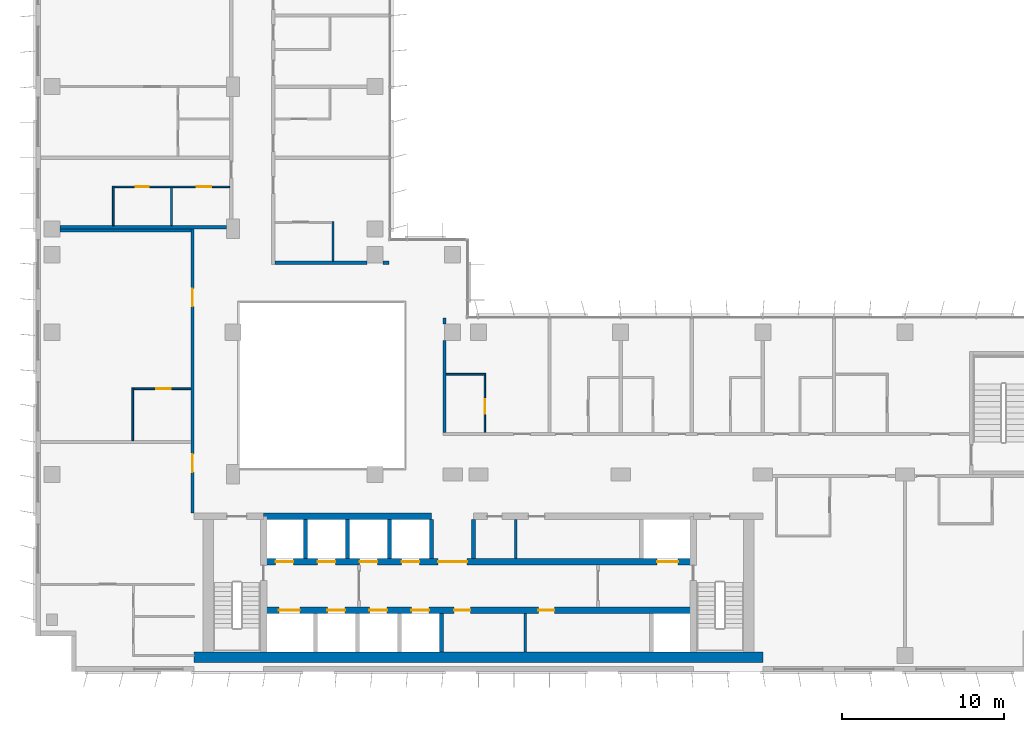
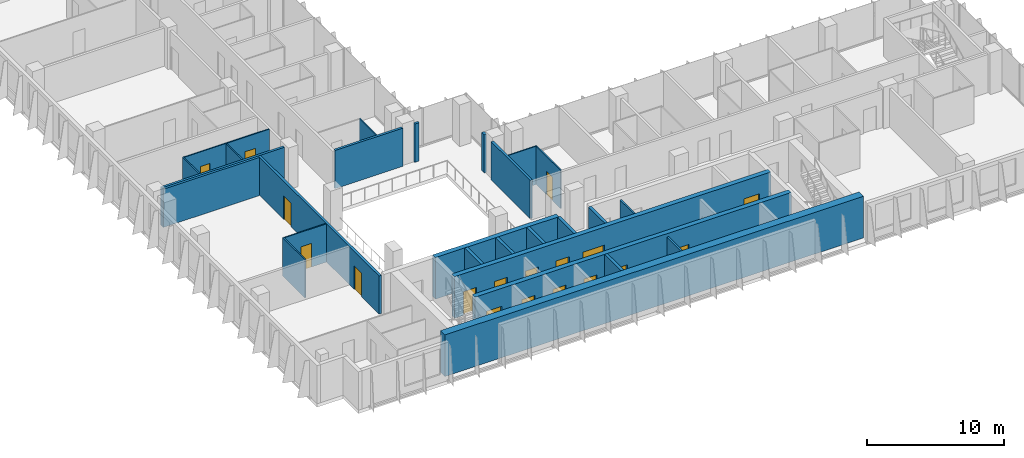
# One storey, part 13 of 21: 27 walls, 18 doors, 18 openings.
"""IFC4 building model written with IfcOpenShell, lengths in metres."""

from ifc_helpers import new_model, si_unit, direction, frame, frame_2d, origin, place, context, subcontext, project, spatial, rectangle, extrude, material, layer, layer_set, type_object, element, fill, save


model = new_model("IFC4")

# Units and contexts
model_context = context("Model", 3, precision=1e-05, world=origin(), true_north=direction((0.0, 1.0)))
body_context = subcontext(model_context, "Body", "Model", "MODEL_VIEW")
ifc_project = project(units=[si_unit("LENGTHUNIT", "METRE"), si_unit("AREAUNIT", "SQUARE_METRE"), si_unit("VOLUMEUNIT", "CUBIC_METRE"), si_unit("PLANEANGLEUNIT", "RADIAN"), si_unit("MASSUNIT", "GRAM", prefix="KILO")], contexts=[model_context])

# Site, building, storey
site_placement = place(None, origin())
site = spatial("IfcSite", under=ifc_project, at=site_placement, CompositionType="ELEMENT")
building_placement = place(site_placement, origin())
building = spatial("IfcBuilding", under=site, at=building_placement, Name="Kemantara Hotel Tower", CompositionType="ELEMENT")
storey_placement = place(building_placement, frame((0.0, 0.0, 171.60009765625)))
storey = spatial("IfcBuildingStorey", under=building, at=storey_placement, Name="L42", CompositionType="ELEMENT", Elevation=171.60009765625)

# Walls
ifc_material_1 = material(Name="Concrete fc 60 MPa", Category="concrete")
ifc_layer_1 = layer(ifc_material_1, 0.25)
ifc_layer_set_1 = layer_set([ifc_layer_1], Name="Concrete fc 60 MPa")
wall_type_1 = type_object("IfcWallType", Name="CORE WALL 250 FC60", PredefinedType="SHEAR", material=ifc_layer_set_1)
wall_1_placement = place(storey_placement, frame((25.10009765625, 1.199951171875, 0.0), z_axis=(0.0, 0.0, 1.0), x_axis=(0.0, 1.0, 0.0)))
element("IfcWall", 1, at=wall_1_placement, inside=storey, type_object=wall_type_1, Name="CORE WALL CW-DS25.1", PredefinedType="SHEAR", context=body_context, shape_type="SweptSolid", body=[
    extrude(rectangle(XDim=2.400146484375, YDim=0.25, at=frame_2d((1.2001953125, 0.0))), origin(), (0.0, 0.0, 1.0), 3.699951171875),
])
for number, where, z_axis, x_axis, name in (
    (2, (16.699951171875, 7.0, 0.0), (0.0, 0.0, 1.0), (0.0, 1.0, 0.0), "CORE WALL CW-DN16.7"),
    (3, (19.300048828125, 7.0, 0.0), (0.0, 0.0, 1.0), (0.0, 1.0, 0.0), "CORE WALL CW-DN19.3"),
    (4, (21.89990234375, 7.0, 0.0), (0.0, 0.0, 1.0), (0.0, 1.0, 0.0), "CORE WALL CW-DN21.9"),
    (5, (24.5, 7.0, 0.0), (0.0, 0.0, 1.0), (0.0, 1.0, 0.0), "CORE WALL CW-DN24.5"),
    (6, (27.10009765625, 7.0, 0.0), (0.0, 0.0, 1.0), (0.0, 1.0, 0.0), "CORE WALL CW-DN27.1"),
):
    element("IfcWall", number, at=place(storey_placement, frame(where, z_axis=z_axis, x_axis=x_axis)), inside=storey, type_object=wall_type_1, Name=name, PredefinedType="SHEAR", context=body_context, shape_type="SweptSolid", body=[
        extrude(rectangle(XDim=2.39990234375, YDim=0.25, at=frame_2d((1.199951171875, 0.0))), origin(), (0.0, 0.0, 1.0), 3.699951171875),
    ])
ifc_layer_2 = layer(ifc_material_1, 0.39990234375)
ifc_layer_set_2 = layer_set([ifc_layer_2], Name="Concrete fc 60 MPa")
wall_type_2 = type_object("IfcWallType", Name="CORE WALL 400 FC60", PredefinedType="SHEAR", material=ifc_layer_set_2)
wall_2_placement = place(storey_placement, frame((14.10009765625, 9.60009765625, 0.0), z_axis=(0.0, 0.0, 1.0), x_axis=(1.0, 0.0, 0.0)))
element("IfcWall", 7, at=wall_2_placement, inside=storey, type_object=wall_type_2, Name="CORE WALL CW-NN1", PredefinedType="SHEAR", context=body_context, shape_type="SweptSolid", body=[
    extrude(rectangle(XDim=10.39990234375, YDim=0.39990234375, at=frame_2d((5.199951171875, 0.0))), origin(), (0.0, 0.0, 1.0), 3.699951171875),
])

# Wall, openings, doors
wall_3_placement = place(storey_placement, frame((14.10009765625, 3.800048828125, 0.0), z_axis=(0.0, 0.0, 1.0), x_axis=(1.0, 0.0, 0.0)))
wall_3 = element("IfcWall", 8, at=wall_3_placement, inside=storey, type_object=wall_type_2, Name="CORE WALL CW-L1", PredefinedType="SHEAR", context=body_context, shape_type="SweptSolid", body=[
    extrude(rectangle(XDim=26.599853515625, YDim=0.39990234375, at=frame_2d((13.2998046875, 0.0))), origin(), (0.0, 0.0, 1.0), 3.699951171875),
])
opening_1_placement = place(wall_3_placement, frame((0.949951171875, 0.0, 0.0)))
opening_1 = element("IfcOpeningElement", 9, at=opening_1_placement, cuts=wall_3, Name="Opening C26-LD-FF1", PredefinedType="OPENING", context=body_context, shape_type="SweptSolid", body=[
    extrude(rectangle(XDim=1.300048828125, YDim=2.10009765625, at=frame_2d((0.64990234375, 1.050048828125))), frame((0.0, 0.2099609375, 0.0), z_axis=(0.0, -1.0, 0.0), x_axis=(1.0, 0.0, 0.0)), (0.0, 0.0, 1.0), 0.419921875),
])
opening_2_placement = place(wall_3_placement, frame((3.949951171875, 0.0, 0.0)))
opening_2 = element("IfcOpeningElement", 10, at=opening_2_placement, cuts=wall_3, Name="Opening C26-LD-SV1", PredefinedType="OPENING", context=body_context, shape_type="SweptSolid", body=[
    extrude(rectangle(XDim=1.10009765625, YDim=2.10009765625, at=frame_2d((0.550048828125, 1.050048828125))), frame((0.0, 0.2099609375, 0.0), z_axis=(0.0, -1.0, 0.0), x_axis=(1.0, 0.0, 0.0)), (0.0, 0.0, 1.0), 0.419921875),
])
opening_3_placement = place(wall_3_placement, frame((6.550048828125, 0.0, 0.0)))
opening_3 = element("IfcOpeningElement", 11, at=opening_3_placement, cuts=wall_3, Name="Opening C26-LD-SV2", PredefinedType="OPENING", context=body_context, shape_type="SweptSolid", body=[
    extrude(rectangle(XDim=1.10009765625, YDim=2.10009765625, at=frame_2d((0.550048828125, 1.050048828125))), frame((0.0, 0.2099609375, 0.0), z_axis=(0.0, -1.0, 0.0), x_axis=(1.0, 0.0, 0.0)), (0.0, 0.0, 1.0), 0.419921875),
])
opening_4_placement = place(wall_3_placement, frame((9.14990234375, 0.0, 0.0)))
opening_4 = element("IfcOpeningElement", 12, at=opening_4_placement, cuts=wall_3, Name="Opening C26-LD-SV3", PredefinedType="OPENING", context=body_context, shape_type="SweptSolid", body=[
    extrude(rectangle(XDim=1.10009765625, YDim=2.10009765625, at=frame_2d((0.550048828125, 1.050048828125))), frame((0.0, 0.2099609375, 0.0), z_axis=(0.0, -1.0, 0.0), x_axis=(1.0, 0.0, 0.0)), (0.0, 0.0, 1.0), 0.419921875),
])
opening_5_placement = place(wall_3_placement, frame((11.800048828125, 0.0, 0.0)))
opening_5 = element("IfcOpeningElement", 13, at=opening_5_placement, cuts=wall_3, Name="Opening C26-R-SM1", PredefinedType="OPENING", context=body_context, shape_type="SweptSolid", body=[
    extrude(rectangle(XDim=1.0, YDim=2.10009765625, at=frame_2d((0.5, 1.050048828125))), frame((0.0, 0.2099609375, 0.0), z_axis=(0.0, -1.0, 0.0), x_axis=(1.0, 0.0, 0.0)), (0.0, 0.0, 1.0), 0.419921875),
])
opening_6_placement = place(wall_3_placement, frame((17.0, 0.0, 0.0)))
opening_6 = element("IfcOpeningElement", 14, at=opening_6_placement, cuts=wall_3, Name="Opening C26-R-SM2", PredefinedType="OPENING", context=body_context, shape_type="SweptSolid", body=[
    extrude(rectangle(XDim=1.0, YDim=2.10009765625, at=frame_2d((0.5, 1.050048828125))), frame((0.0, 0.2099609375, 0.0), z_axis=(0.0, -1.0, 0.0), x_axis=(1.0, 0.0, 0.0)), (0.0, 0.0, 1.0), 0.419921875),
])
ifc_material_2 = material(Name="Steel fire door", Category="steel")
door_type_1 = type_object("IfcDoorType", Name="Fire door FD30S 1000 x 2100", OperationType="NOTDEFINED", PredefinedType="DOOR", material=ifc_material_2)
door_1_placement = place(opening_5_placement, frame((1.0, 0.0, 0.0), z_axis=(0.0, 0.0, 1.0), x_axis=(-1.0, 0.0, 0.0)))
door_1 = element("IfcDoor", 15, at=door_1_placement, inside=storey, type_object=door_type_1, Name="Staff Lounge door", OperationType="SINGLE_SWING_RIGHT", OverallHeight=2.10009765625, OverallWidth=1.0, PredefinedType="DOOR", context=body_context, shape_type="SweptSolid", body=[
    extrude(rectangle(XDim=1.0, YDim=2.10009765625, at=frame_2d((0.5, 1.050048828125))), frame((0.0, 0.02490234375, 0.0), z_axis=(0.0, -1.0, 0.0), x_axis=(1.0, 0.0, 0.0)), (0.0, 0.0, 1.0), 0.050048828125),
])
fill(opening_5, door_1)
door_2_placement = place(opening_6_placement, frame((1.0, 0.0, 0.0), z_axis=(0.0, 0.0, 1.0), x_axis=(-1.0, 0.0, 0.0)))
door_2 = element("IfcDoor", 16, at=door_2_placement, inside=storey, type_object=door_type_1, Name="Guest Pantry door", OperationType="SINGLE_SWING_LEFT", OverallHeight=2.10009765625, OverallWidth=1.0, PredefinedType="DOOR", context=body_context, shape_type="SweptSolid", body=[
    extrude(rectangle(XDim=1.0, YDim=2.10009765625, at=frame_2d((0.5, 1.050048828125))), frame((0.0, 0.02490234375, 0.0), z_axis=(0.0, -1.0, 0.0), x_axis=(1.0, 0.0, 0.0)), (0.0, 0.0, 1.0), 0.050048828125),
])
fill(opening_6, door_2)
ifc_material_3 = material(Name="Stainless steel lift door", Category="steel")
door_type_2 = type_object("IfcDoorType", Name="Lift landing door 1100 x 2100 FD60", OperationType="DOUBLE_DOOR_SLIDING", PredefinedType="DOOR", material=ifc_material_3)
door_3_placement = place(opening_2_placement, origin())
door_3 = element("IfcDoor", 17, at=door_3_placement, inside=storey, type_object=door_type_2, Name="Lift SV1 landing door", OperationType="DOUBLE_DOOR_SLIDING", OverallHeight=2.10009765625, OverallWidth=1.10009765625, PredefinedType="DOOR", context=body_context, shape_type="SweptSolid", body=[
    extrude(rectangle(XDim=1.10009765625, YDim=2.10009765625, at=frame_2d((0.550048828125, 1.050048828125))), frame((0.0, 0.02490234375, 0.0), z_axis=(0.0, -1.0, 0.0), x_axis=(1.0, 0.0, 0.0)), (0.0, 0.0, 1.0), 0.050048828125),
])
fill(opening_2, door_3)
door_4_placement = place(opening_3_placement, origin())
door_4 = element("IfcDoor", 18, at=door_4_placement, inside=storey, type_object=door_type_2, Name="Lift SV2 landing door", OperationType="DOUBLE_DOOR_SLIDING", OverallHeight=2.10009765625, OverallWidth=1.10009765625, PredefinedType="DOOR", context=body_context, shape_type="SweptSolid", body=[
    extrude(rectangle(XDim=1.10009765625, YDim=2.10009765625, at=frame_2d((0.550048828125, 1.050048828125))), frame((0.0, 0.02490234375, 0.0), z_axis=(0.0, -1.0, 0.0), x_axis=(1.0, 0.0, 0.0)), (0.0, 0.0, 1.0), 0.050048828125),
])
fill(opening_3, door_4)
door_5_placement = place(opening_4_placement, origin())
door_5 = element("IfcDoor", 19, at=door_5_placement, inside=storey, type_object=door_type_2, Name="Lift SV3 landing door", OperationType="DOUBLE_DOOR_SLIDING", OverallHeight=2.10009765625, OverallWidth=1.10009765625, PredefinedType="DOOR", context=body_context, shape_type="SweptSolid", body=[
    extrude(rectangle(XDim=1.10009765625, YDim=2.10009765625, at=frame_2d((0.550048828125, 1.050048828125))), frame((0.0, 0.02490234375, 0.0), z_axis=(0.0, -1.0, 0.0), x_axis=(1.0, 0.0, 0.0)), (0.0, 0.0, 1.0), 0.050048828125),
])
fill(opening_4, door_5)
door_type_3 = type_object("IfcDoorType", Name="Lift landing door 1300 x 2100 FD90", OperationType="DOUBLE_DOOR_SLIDING", PredefinedType="DOOR", material=ifc_material_3)
door_6_placement = place(opening_1_placement, origin())
door_6 = element("IfcDoor", 20, at=door_6_placement, inside=storey, type_object=door_type_3, Name="Lift FF1 landing door", OperationType="DOUBLE_DOOR_SLIDING", OverallHeight=2.10009765625, OverallWidth=1.300048828125, PredefinedType="DOOR", context=body_context, shape_type="SweptSolid", body=[
    extrude(rectangle(XDim=1.300048828125, YDim=2.10009765625, at=frame_2d((0.64990234375, 1.050048828125))), frame((0.0, 0.02490234375, 0.0), z_axis=(0.0, -1.0, 0.0), x_axis=(1.0, 0.0, 0.0)), (0.0, 0.0, 1.0), 0.050048828125),
])
fill(opening_1, door_6)

wall_4_placement = place(storey_placement, frame((14.10009765625, 6.800048828125, 0.0), z_axis=(0.0, 0.0, 1.0), x_axis=(1.0, 0.0, 0.0)))
wall_4 = element("IfcWall", 21, at=wall_4_placement, inside=storey, type_object=wall_type_2, Name="CORE WALL CW-L2", PredefinedType="SHEAR", context=body_context, shape_type="SweptSolid", body=[
    extrude(rectangle(XDim=26.599853515625, YDim=0.39990234375, at=frame_2d((13.2998046875, 0.0))), origin(), (0.0, 0.0, 1.0), 3.699951171875),
])
opening_7_placement = place(wall_4_placement, frame((10.800048828125, 0.0, 0.0)))
opening_7 = element("IfcOpeningElement", 22, at=opening_7_placement, cuts=wall_4, Name="Opening C26-VL", PredefinedType="OPENING", context=body_context, shape_type="SweptSolid", body=[
    extrude(rectangle(XDim=1.800048828125, YDim=2.10009765625, at=frame_2d((0.89990234375, 1.050048828125))), frame((0.0, 0.2099609375, 0.0), z_axis=(0.0, -1.0, 0.0), x_axis=(1.0, 0.0, 0.0)), (0.0, 0.0, 1.0), 0.419921875),
])
opening_8_placement = place(wall_4_placement, frame((0.75, 0.0, 0.0)))
opening_8 = element("IfcOpeningElement", 23, at=opening_8_placement, cuts=wall_4, Name="Opening C26-LD-MR1", PredefinedType="OPENING", context=body_context, shape_type="SweptSolid", body=[
    extrude(rectangle(XDim=1.10009765625, YDim=2.10009765625, at=frame_2d((0.550048828125, 1.050048828125))), frame((0.0, 0.2099609375, 0.0), z_axis=(0.0, -1.0, 0.0), x_axis=(1.0, 0.0, 0.0)), (0.0, 0.0, 1.0), 0.419921875),
])
opening_9_placement = place(wall_4_placement, frame((3.35009765625, 0.0, 0.0)))
opening_9 = element("IfcOpeningElement", 24, at=opening_9_placement, cuts=wall_4, Name="Opening C26-LD-MR2", PredefinedType="OPENING", context=body_context, shape_type="SweptSolid", body=[
    extrude(rectangle(XDim=1.10009765625, YDim=2.10009765625, at=frame_2d((0.550048828125, 1.050048828125))), frame((0.0, 0.2099609375, 0.0), z_axis=(0.0, -1.0, 0.0), x_axis=(1.0, 0.0, 0.0)), (0.0, 0.0, 1.0), 0.419921875),
])
opening_10_placement = place(wall_4_placement, frame((5.949951171875, 0.0, 0.0)))
opening_10 = element("IfcOpeningElement", 25, at=opening_10_placement, cuts=wall_4, Name="Opening C26-LD-MR3", PredefinedType="OPENING", context=body_context, shape_type="SweptSolid", body=[
    extrude(rectangle(XDim=1.10009765625, YDim=2.10009765625, at=frame_2d((0.550048828125, 1.050048828125))), frame((0.0, 0.2099609375, 0.0), z_axis=(0.0, -1.0, 0.0), x_axis=(1.0, 0.0, 0.0)), (0.0, 0.0, 1.0), 0.419921875),
])
opening_11_placement = place(wall_4_placement, frame((8.550048828125, 0.0, 0.0)))
opening_11 = element("IfcOpeningElement", 26, at=opening_11_placement, cuts=wall_4, Name="Opening C26-LD-MR4", PredefinedType="OPENING", context=body_context, shape_type="SweptSolid", body=[
    extrude(rectangle(XDim=1.10009765625, YDim=2.10009765625, at=frame_2d((0.550048828125, 1.050048828125))), frame((0.0, 0.2099609375, 0.0), z_axis=(0.0, -1.0, 0.0), x_axis=(1.0, 0.0, 0.0)), (0.0, 0.0, 1.0), 0.419921875),
])
opening_12_placement = place(wall_4_placement, frame((24.35009765625, 0.0, 0.0)))
opening_12 = element("IfcOpeningElement", 27, at=opening_12_placement, cuts=wall_4, Name="Opening C26-LD-FF2", PredefinedType="OPENING", context=body_context, shape_type="SweptSolid", body=[
    extrude(rectangle(XDim=1.300048828125, YDim=2.10009765625, at=frame_2d((0.64990234375, 1.050048828125))), frame((0.0, 0.2099609375, 0.0), z_axis=(0.0, -1.0, 0.0), x_axis=(1.0, 0.0, 0.0)), (0.0, 0.0, 1.0), 0.419921875),
])
door_type_4 = type_object("IfcDoorType", Name="Fire door pair FD60 1800 x 2100", OperationType="DOUBLE_DOOR_SINGLE_SWING", PredefinedType="DOOR", material=ifc_material_2)
door_7_placement = place(opening_7_placement, frame((1.800048828125, 0.0, 0.0), z_axis=(0.0, 0.0, 1.0), x_axis=(-1.0, 0.0, 0.0)))
door_7 = element("IfcDoor", 28, at=door_7_placement, inside=storey, type_object=door_type_4, Name="Lift lobby entry door", OperationType="DOUBLE_DOOR_SINGLE_SWING", OverallHeight=2.10009765625, OverallWidth=1.800048828125, PredefinedType="DOOR", context=body_context, shape_type="SweptSolid", body=[
    extrude(rectangle(XDim=1.800048828125, YDim=2.10009765625, at=frame_2d((0.89990234375, 1.050048828125))), frame((0.0, 0.02490234375, 0.0), z_axis=(0.0, -1.0, 0.0), x_axis=(1.0, 0.0, 0.0)), (0.0, 0.0, 1.0), 0.050048828125),
])
fill(opening_7, door_7)
door_8_placement = place(opening_8_placement, origin())
door_8 = element("IfcDoor", 29, at=door_8_placement, inside=storey, type_object=door_type_2, Name="Lift MR1 landing door", OperationType="DOUBLE_DOOR_SLIDING", OverallHeight=2.10009765625, OverallWidth=1.10009765625, PredefinedType="DOOR", context=body_context, shape_type="SweptSolid", body=[
    extrude(rectangle(XDim=1.10009765625, YDim=2.10009765625, at=frame_2d((0.550048828125, 1.050048828125))), frame((0.0, 0.02490234375, 0.0), z_axis=(0.0, -1.0, 0.0), x_axis=(1.0, 0.0, 0.0)), (0.0, 0.0, 1.0), 0.050048828125),
])
fill(opening_8, door_8)
door_9_placement = place(opening_9_placement, origin())
door_9 = element("IfcDoor", 30, at=door_9_placement, inside=storey, type_object=door_type_2, Name="Lift MR2 landing door", OperationType="DOUBLE_DOOR_SLIDING", OverallHeight=2.10009765625, OverallWidth=1.10009765625, PredefinedType="DOOR", context=body_context, shape_type="SweptSolid", body=[
    extrude(rectangle(XDim=1.10009765625, YDim=2.10009765625, at=frame_2d((0.550048828125, 1.050048828125))), frame((0.0, 0.02490234375, 0.0), z_axis=(0.0, -1.0, 0.0), x_axis=(1.0, 0.0, 0.0)), (0.0, 0.0, 1.0), 0.050048828125),
])
fill(opening_9, door_9)
door_10_placement = place(opening_10_placement, origin())
door_10 = element("IfcDoor", 31, at=door_10_placement, inside=storey, type_object=door_type_2, Name="Lift MR3 landing door", OperationType="DOUBLE_DOOR_SLIDING", OverallHeight=2.10009765625, OverallWidth=1.10009765625, PredefinedType="DOOR", context=body_context, shape_type="SweptSolid", body=[
    extrude(rectangle(XDim=1.10009765625, YDim=2.10009765625, at=frame_2d((0.550048828125, 1.050048828125))), frame((0.0, 0.02490234375, 0.0), z_axis=(0.0, -1.0, 0.0), x_axis=(1.0, 0.0, 0.0)), (0.0, 0.0, 1.0), 0.050048828125),
])
fill(opening_10, door_10)
door_11_placement = place(opening_11_placement, origin())
door_11 = element("IfcDoor", 32, at=door_11_placement, inside=storey, type_object=door_type_2, Name="Lift MR4 landing door", OperationType="DOUBLE_DOOR_SLIDING", OverallHeight=2.10009765625, OverallWidth=1.10009765625, PredefinedType="DOOR", context=body_context, shape_type="SweptSolid", body=[
    extrude(rectangle(XDim=1.10009765625, YDim=2.10009765625, at=frame_2d((0.550048828125, 1.050048828125))), frame((0.0, 0.02490234375, 0.0), z_axis=(0.0, -1.0, 0.0), x_axis=(1.0, 0.0, 0.0)), (0.0, 0.0, 1.0), 0.050048828125),
])
fill(opening_11, door_11)
door_12_placement = place(opening_12_placement, origin())
door_12 = element("IfcDoor", 33, at=door_12_placement, inside=storey, type_object=door_type_3, Name="Lift FF2 landing door", OperationType="DOUBLE_DOOR_SLIDING", OverallHeight=2.10009765625, OverallWidth=1.300048828125, PredefinedType="DOOR", context=body_context, shape_type="SweptSolid", body=[
    extrude(rectangle(XDim=1.300048828125, YDim=2.10009765625, at=frame_2d((0.64990234375, 1.050048828125))), frame((0.0, 0.02490234375, 0.0), z_axis=(0.0, -1.0, 0.0), x_axis=(1.0, 0.0, 0.0)), (0.0, 0.0, 1.0), 0.050048828125),
])
fill(opening_12, door_12)

# Wall
ifc_layer_3 = layer(ifc_material_1, 0.64990234375)
ifc_layer_set_3 = layer_set([ifc_layer_3], Name="Concrete fc 60 MPa")
wall_type_3 = type_object("IfcWallType", Name="CORE WALL 650 FC60", PredefinedType="SHEAR", material=ifc_layer_set_3)
wall_5_placement = place(storey_placement, frame((9.800048828125, 0.875, 0.0), z_axis=(0.0, 0.0, 1.0), x_axis=(1.0, 0.0, 0.0)))
element("IfcWall", 34, at=wall_5_placement, inside=storey, type_object=wall_type_3, Name="CORE WALL CW-S", PredefinedType="SHEAR", context=body_context, shape_type="SweptSolid", body=[
    extrude(rectangle(XDim=35.199951171875, YDim=0.64990234375, at=frame_2d((17.60009765625, 0.0))), origin(), (0.0, 0.0, 1.0), 3.699951171875),
])

# Wall, openings, doors
ifc_material_4 = material(Name="Gypsum board partition, steel studs and mineral wool, 200 mm", Category="steel")
ifc_layer_4 = layer(ifc_material_4, 0.199951171875)
ifc_layer_set_4 = layer_set([ifc_layer_4], Name="Gypsum board partition, steel studs and mineral wool, 200 mm")
wall_type_4 = type_object("IfcWallType", Name="CORRIDOR WALL 200", PredefinedType="PARTITIONING", material=ifc_layer_set_4)
wall_6_placement = place(storey_placement, frame((9.699951171875, 9.800048828125, 0.0), z_axis=(0.0, 0.0, 1.0), x_axis=(0.0, 1.0, 0.0)))
wall_6 = element("IfcWall", 35, at=wall_6_placement, inside=storey, type_object=wall_type_4, Name="CORRIDOR WALL 200 013", PredefinedType="PARTITIONING", context=body_context, shape_type="SweptSolid", body=[
    extrude(rectangle(XDim=17.599853515625, YDim=0.199951171875, at=frame_2d((8.7998046875, 0.0))), origin(), (0.0, 0.0, 1.0), 3.39990234375),
])
opening_13_placement = place(wall_6_placement, frame((2.550048828125, 0.0, 0.0)))
opening_13 = element("IfcOpeningElement", 36, at=opening_13_placement, cuts=wall_6, Name="Opening F19-017", PredefinedType="OPENING", context=body_context, shape_type="SweptSolid", body=[
    extrude(rectangle(XDim=1.10009765625, YDim=2.10009765625, at=frame_2d((0.550048828125, 1.050048828125))), frame((0.0, 0.10986328125, 0.0), z_axis=(0.0, -1.0, 0.0), x_axis=(1.0, 0.0, 0.0)), (0.0, 0.0, 1.0), 0.219970703125),
])
opening_14_placement = place(wall_6_placement, frame((12.800048828125, 0.0, 0.0)))
opening_14 = element("IfcOpeningElement", 37, at=opening_14_placement, cuts=wall_6, Name="Opening F19-021", PredefinedType="OPENING", context=body_context, shape_type="SweptSolid", body=[
    extrude(rectangle(XDim=1.10009765625, YDim=2.10009765625, at=frame_2d((0.550048828125, 1.050048828125))), frame((0.0, 0.10986328125, 0.0), z_axis=(0.0, -1.0, 0.0), x_axis=(1.0, 0.0, 0.0)), (0.0, 0.0, 1.0), 0.219970703125),
])
ifc_material_5 = material(Name="Hardwood veneer door leaf with steel frame", Category="steel")
door_type_5 = type_object("IfcDoorType", Name="SUITE ENTRANCE DOOR 1100 X 2100 FD30S", OperationType="NOTDEFINED", PredefinedType="DOOR", material=ifc_material_5)
door_13_placement = place(opening_13_placement, origin())
door_13 = element("IfcDoor", 38, at=door_13_placement, inside=storey, type_object=door_type_5, Name="SUITE ENTRANCE DOOR F19-017", OperationType="SINGLE_SWING_RIGHT", OverallHeight=2.10009765625, OverallWidth=1.10009765625, PredefinedType="DOOR", context=body_context, shape_type="SweptSolid", body=[
    extrude(rectangle(XDim=1.10009765625, YDim=2.10009765625, at=frame_2d((0.550048828125, 1.050048828125))), frame((0.0, 0.02490234375, 0.0), z_axis=(0.0, -1.0, 0.0), x_axis=(1.0, 0.0, 0.0)), (0.0, 0.0, 1.0), 0.050048828125),
])
fill(opening_13, door_13)
door_14_placement = place(opening_14_placement, origin())
door_14 = element("IfcDoor", 39, at=door_14_placement, inside=storey, type_object=door_type_5, Name="SUITE ENTRANCE DOOR F19-021", OperationType="SINGLE_SWING_RIGHT", OverallHeight=2.10009765625, OverallWidth=1.10009765625, PredefinedType="DOOR", context=body_context, shape_type="SweptSolid", body=[
    extrude(rectangle(XDim=1.10009765625, YDim=2.10009765625, at=frame_2d((0.550048828125, 1.050048828125))), frame((0.0, 0.02490234375, 0.0), z_axis=(0.0, -1.0, 0.0), x_axis=(1.0, 0.0, 0.0)), (0.0, 0.0, 1.0), 0.050048828125),
])
fill(opening_14, door_14)

# Walls
ifc_layer_5 = layer(ifc_material_4, 0.199951171875)
ifc_layer_set_5 = layer_set([ifc_layer_5], Name="Gypsum board partition, steel studs and mineral wool, 200 mm")
wall_type_5 = type_object("IfcWallType", Name="GUEST ROOM PARTY WALL 200", PredefinedType="PARTITIONING", material=ifc_layer_set_5)
wall_7_placement = place(storey_placement, frame((25.300048828125, 14.800048828125, 0.0), z_axis=(0.0, 0.0, 1.0), x_axis=(0.0, 1.0, 0.0)))
element("IfcWall", 40, at=wall_7_placement, inside=storey, type_object=wall_type_5, Name="GUEST ROOM PARTY WALL 200 006", PredefinedType="PARTITIONING", context=body_context, shape_type="SweptSolid", body=[
    extrude(rectangle(XDim=5.699951171875, YDim=0.199951171875, at=frame_2d((2.85009765625, 0.0))), origin(), (0.0, 0.0, 1.0), 3.39990234375),
])
wall_8_placement = place(storey_placement, frame((25.300048828125, 21.5, 0.0), z_axis=(0.0, 0.0, 1.0), x_axis=(0.0, 1.0, 0.0)))
element("IfcWall", 41, at=wall_8_placement, inside=storey, type_object=wall_type_5, Name="GUEST ROOM PARTY WALL 200 007", PredefinedType="PARTITIONING", context=body_context, shape_type="SweptSolid", body=[
    extrude(rectangle(XDim=0.3701171875, YDim=0.199951171875, at=frame_2d((0.18505859375, 0.0))), origin(), (0.0, 0.0, 1.0), 3.39990234375),
])
wall_9_placement = place(storey_placement, frame((1.5, 27.300048828125, 0.0), z_axis=(0.0, 0.0, 1.0), x_axis=(1.0, 0.0, 0.0)))
element("IfcWall", 42, at=wall_9_placement, inside=storey, type_object=wall_type_5, Name="GUEST ROOM PARTY WALL 200 015", PredefinedType="PARTITIONING", context=body_context, shape_type="SweptSolid", body=[
    extrude(rectangle(XDim=8.10009765625, YDim=0.199951171875, at=frame_2d((4.050048828125, 0.0))), origin(), (0.0, 0.0, 1.0), 3.39990234375),
])
wall_10_placement = place(storey_placement, frame((1.5, 27.5, 0.0), z_axis=(0.0, 0.0, 1.0), x_axis=(1.0, 0.0, 0.0)))
element("IfcWall", 43, at=wall_10_placement, inside=storey, type_object=wall_type_5, Name="GUEST ROOM PARTY WALL 200 020", PredefinedType="PARTITIONING", context=body_context, shape_type="SweptSolid", body=[
    extrude(rectangle(XDim=10.2998046875, YDim=0.199951171875, at=frame_2d((5.14990234375, 0.0))), origin(), (0.0, 0.0, 1.0), 3.39990234375),
])
wall_11_placement = place(storey_placement, frame((14.800048828125, 25.300048828125, 0.0), z_axis=(0.0, 0.0, 1.0), x_axis=(1.0, 0.0, 0.0)))
element("IfcWall", 44, at=wall_11_placement, inside=storey, type_object=wall_type_5, Name="GUEST ROOM PARTY WALL 200 026", PredefinedType="PARTITIONING", context=body_context, shape_type="SweptSolid", body=[
    extrude(rectangle(XDim=5.699951171875, YDim=0.199951171875, at=frame_2d((2.85009765625, 0.0))), origin(), (0.0, 0.0, 1.0), 3.39990234375),
])
wall_12_placement = place(storey_placement, frame((21.5, 25.300048828125, 0.0), z_axis=(0.0, 0.0, 1.0), x_axis=(1.0, 0.0, 0.0)))
element("IfcWall", 45, at=wall_12_placement, inside=storey, type_object=wall_type_5, Name="GUEST ROOM PARTY WALL 200 027", PredefinedType="PARTITIONING", context=body_context, shape_type="SweptSolid", body=[
    extrude(rectangle(XDim=0.3701171875, YDim=0.199951171875, at=frame_2d((0.18505859375, 0.0))), origin(), (0.0, 0.0, 1.0), 3.39990234375),
])
ifc_material_6 = material(Name="Gypsum board partition")
ifc_layer_6 = layer(ifc_material_6, 0.14990234375)
ifc_layer_set_6 = layer_set([ifc_layer_6], Name="Gypsum board partition")
wall_type_6 = type_object("IfcWallType", Name="Gypsum board partition 150 mm", PredefinedType="PARTITIONING", material=ifc_layer_set_6)
wall_13_placement = place(storey_placement, frame((29.699951171875, 7.0, 0.0), z_axis=(0.0, 0.0, 1.0), x_axis=(0.0, 1.0, 0.0)))
element("IfcWall", 46, at=wall_13_placement, inside=storey, type_object=wall_type_6, Name="Core room partition", PredefinedType="PARTITIONING", context=body_context, shape_type="SweptSolid", body=[
    extrude(rectangle(XDim=2.39990234375, YDim=0.14990234375, at=frame_2d((1.199951171875, 0.0))), origin(), (0.0, 0.0, 1.0), 3.39990234375),
])
wall_14_placement = place(storey_placement, frame((30.300048828125, 1.199951171875, 0.0), z_axis=(0.0, 0.0, 1.0), x_axis=(0.0, 1.0, 0.0)))
element("IfcWall", 47, at=wall_14_placement, inside=storey, type_object=wall_type_6, Name="Core room partition", PredefinedType="PARTITIONING", context=body_context, shape_type="SweptSolid", body=[
    extrude(rectangle(XDim=2.400146484375, YDim=0.14990234375, at=frame_2d((1.2001953125, 0.0))), origin(), (0.0, 0.0, 1.0), 3.39990234375),
])
ifc_material_7 = material(Name="Gypsum board partition on steel studs, 100 mm", Category="steel")
ifc_layer_7 = layer(ifc_material_7, 0.10009765625)
ifc_layer_set_7 = layer_set([ifc_layer_7], Name="Gypsum board partition on steel studs, 100 mm")
wall_type_7 = type_object("IfcWallType", Name="ROOM PARTITION 100", PredefinedType="PARTITIONING", material=ifc_layer_set_7)
wall_15_placement = place(storey_placement, frame((25.39990234375, 18.39990234375, 0.0), z_axis=(0.0, 0.0, 1.0), x_axis=(1.0, 0.0, 0.0)))
element("IfcWall", 48, at=wall_15_placement, inside=storey, type_object=wall_type_7, Name="ROOM PARTITION 100 037", PredefinedType="PARTITIONING", context=body_context, shape_type="SweptSolid", body=[
    extrude(rectangle(XDim=2.4501953125, YDim=0.10009765625, at=frame_2d((1.22509765625, 0.0))), origin(), (0.0, 0.0, 1.0), 3.39990234375),
])

# Wall, opening, door
wall_16_placement = place(storey_placement, frame((27.800048828125, 14.800048828125, 0.0), z_axis=(0.0, 0.0, 1.0), x_axis=(0.0, 1.0, 0.0)))
wall_16 = element("IfcWall", 49, at=wall_16_placement, inside=storey, type_object=wall_type_7, Name="ROOM PARTITION 100 039", PredefinedType="PARTITIONING", context=body_context, shape_type="SweptSolid", body=[
    extrude(rectangle(XDim=3.550048828125, YDim=0.10009765625, at=frame_2d((1.77490234375, 0.0))), origin(), (0.0, 0.0, 1.0), 3.39990234375),
])
opening_15_placement = place(wall_16_placement, frame((1.14990234375, 0.0, 0.0)))
opening_15 = element("IfcOpeningElement", 50, at=opening_15_placement, cuts=wall_16, Name="Opening F19-006", PredefinedType="OPENING", context=body_context, shape_type="SweptSolid", body=[
    extrude(rectangle(XDim=0.89990234375, YDim=2.10009765625, at=frame_2d((0.449951171875, 1.050048828125))), frame((0.0, 0.06005859375, 0.0), z_axis=(0.0, -1.0, 0.0), x_axis=(1.0, 0.0, 0.0)), (0.0, 0.0, 1.0), 0.1201171875),
])
door_type_6 = type_object("IfcDoorType", Name="BATHROOM DOOR 900 X 2100", OperationType="NOTDEFINED", PredefinedType="DOOR", material=ifc_material_5)
door_15_placement = place(opening_15_placement, origin())
door_15 = element("IfcDoor", 51, at=door_15_placement, inside=storey, type_object=door_type_6, Name="BATHROOM DOOR F19-006", OperationType="SINGLE_SWING_LEFT", OverallHeight=2.10009765625, OverallWidth=0.89990234375, PredefinedType="DOOR", context=body_context, shape_type="SweptSolid", body=[
    extrude(rectangle(XDim=0.89990234375, YDim=2.10009765625, at=frame_2d((0.449951171875, 1.050048828125))), frame((0.0, 0.02490234375, 0.0), z_axis=(0.0, -1.0, 0.0), x_axis=(1.0, 0.0, 0.0)), (0.0, 0.0, 1.0), 0.050048828125),
])
fill(opening_15, door_15)

# Wall
wall_17_placement = place(storey_placement, frame((6.0, 14.300048828125, 0.0), z_axis=(0.0, 0.0, 1.0), x_axis=(0.0, 1.0, 0.0)))
element("IfcWall", 52, at=wall_17_placement, inside=storey, type_object=wall_type_7, Name="ROOM PARTITION 100 053", PredefinedType="PARTITIONING", context=body_context, shape_type="SweptSolid", body=[
    extrude(rectangle(XDim=3.25, YDim=0.10009765625, at=frame_2d((1.625, 0.0))), origin(), (0.0, 0.0, 1.0), 3.39990234375),
])

# Wall, opening, door
wall_18_placement = place(storey_placement, frame((9.60009765625, 17.5, 0.0), z_axis=(0.0, 0.0, 1.0), x_axis=(-1.0, 0.0, 0.0)))
wall_18 = element("IfcWall", 53, at=wall_18_placement, inside=storey, type_object=wall_type_7, Name="ROOM PARTITION 100 054", PredefinedType="PARTITIONING", context=body_context, shape_type="SweptSolid", body=[
    extrude(rectangle(XDim=3.550048828125, YDim=0.10009765625, at=frame_2d((1.77490234375, 0.0))), origin(), (0.0, 0.0, 1.0), 3.39990234375),
])
opening_16_placement = place(wall_18_placement, frame((1.25, 0.0, 0.0)))
opening_16 = element("IfcOpeningElement", 54, at=opening_16_placement, cuts=wall_18, Name="Opening F19-022", PredefinedType="OPENING", context=body_context, shape_type="SweptSolid", body=[
    extrude(rectangle(XDim=0.89990234375, YDim=2.10009765625, at=frame_2d((0.449951171875, 1.050048828125))), frame((0.0, 0.06005859375, 0.0), z_axis=(0.0, -1.0, 0.0), x_axis=(1.0, 0.0, 0.0)), (0.0, 0.0, 1.0), 0.1201171875),
])
door_16_placement = place(opening_16_placement, origin())
door_16 = element("IfcDoor", 55, at=door_16_placement, inside=storey, type_object=door_type_6, Name="BATHROOM DOOR F19-022", OperationType="SINGLE_SWING_LEFT", OverallHeight=2.10009765625, OverallWidth=0.89990234375, PredefinedType="DOOR", context=body_context, shape_type="SweptSolid", body=[
    extrude(rectangle(XDim=0.89990234375, YDim=2.10009765625, at=frame_2d((0.449951171875, 1.050048828125))), frame((0.0, 0.02490234375, 0.0), z_axis=(0.0, -1.0, 0.0), x_axis=(1.0, 0.0, 0.0)), (0.0, 0.0, 1.0), 0.050048828125),
])
fill(opening_16, door_16)

# Walls
wall_19_placement = place(storey_placement, frame((4.800048828125, 27.60009765625, 0.0), z_axis=(0.0, 0.0, 1.0), x_axis=(0.0, 1.0, 0.0)))
element("IfcWall", 56, at=wall_19_placement, inside=storey, type_object=wall_type_7, Name="ROOM PARTITION 100 055", PredefinedType="PARTITIONING", context=body_context, shape_type="SweptSolid", body=[
    extrude(rectangle(XDim=2.449951171875, YDim=0.10009765625, at=frame_2d((1.22509765625, 0.0))), origin(), (0.0, 0.0, 1.0), 3.39990234375),
])
wall_20_placement = place(storey_placement, frame((8.39990234375, 27.60009765625, 0.0), z_axis=(0.0, 0.0, 1.0), x_axis=(0.0, 1.0, 0.0)))
element("IfcWall", 57, at=wall_20_placement, inside=storey, type_object=wall_type_7, Name="ROOM PARTITION 100 056", PredefinedType="PARTITIONING", context=body_context, shape_type="SweptSolid", body=[
    extrude(rectangle(XDim=2.349853515625, YDim=0.10009765625, at=frame_2d((1.1748046875, 0.0))), origin(), (0.0, 0.0, 1.0), 3.39990234375),
])

# Wall, openings, doors
wall_21_placement = place(storey_placement, frame((12.0, 30.0, 0.0), z_axis=(0.0, 0.0, 1.0), x_axis=(-1.0, 0.0, 0.0)))
wall_21 = element("IfcWall", 58, at=wall_21_placement, inside=storey, type_object=wall_type_7, Name="ROOM PARTITION 100 057", PredefinedType="PARTITIONING", context=body_context, shape_type="SweptSolid", body=[
    extrude(rectangle(XDim=7.14990234375, YDim=0.10009765625, at=frame_2d((3.574951171875, 0.0))), origin(), (0.0, 0.0, 1.0), 3.39990234375),
])
opening_17_placement = place(wall_21_placement, frame((1.14990234375, 0.0, 0.0)))
opening_17 = element("IfcOpeningElement", 59, at=opening_17_placement, cuts=wall_21, Name="Opening F19-024", PredefinedType="OPENING", context=body_context, shape_type="SweptSolid", body=[
    extrude(rectangle(XDim=0.89990234375, YDim=2.10009765625, at=frame_2d((0.449951171875, 1.050048828125))), frame((0.0, 0.06005859375, 0.0), z_axis=(0.0, -1.0, 0.0), x_axis=(1.0, 0.0, 0.0)), (0.0, 0.0, 1.0), 0.1201171875),
])
opening_18_placement = place(wall_21_placement, frame((5.0, 0.0, 0.0)))
opening_18 = element("IfcOpeningElement", 60, at=opening_18_placement, cuts=wall_21, Name="Opening F19-025", PredefinedType="OPENING", context=body_context, shape_type="SweptSolid", body=[
    extrude(rectangle(XDim=0.800048828125, YDim=2.10009765625, at=frame_2d((0.39990234375, 1.050048828125))), frame((0.0, 0.06005859375, 0.0), z_axis=(0.0, -1.0, 0.0), x_axis=(1.0, 0.0, 0.0)), (0.0, 0.0, 1.0), 0.1201171875),
])
door_17_placement = place(opening_17_placement, origin())
door_17 = element("IfcDoor", 61, at=door_17_placement, inside=storey, type_object=door_type_6, Name="BATHROOM DOOR F19-024", OperationType="SINGLE_SWING_LEFT", OverallHeight=2.10009765625, OverallWidth=0.89990234375, PredefinedType="DOOR", context=body_context, shape_type="SweptSolid", body=[
    extrude(rectangle(XDim=0.89990234375, YDim=2.10009765625, at=frame_2d((0.449951171875, 1.050048828125))), frame((0.0, 0.02490234375, 0.0), z_axis=(0.0, -1.0, 0.0), x_axis=(1.0, 0.0, 0.0)), (0.0, 0.0, 1.0), 0.050048828125),
])
fill(opening_17, door_17)
door_type_7 = type_object("IfcDoorType", Name="INTERNAL DOOR 800 X 2100", OperationType="NOTDEFINED", PredefinedType="DOOR", material=ifc_material_5)
door_18_placement = place(opening_18_placement, origin())
door_18 = element("IfcDoor", 62, at=door_18_placement, inside=storey, type_object=door_type_7, Name="INTERNAL DOOR F19-025", OperationType="SINGLE_SWING_LEFT", OverallHeight=2.10009765625, OverallWidth=0.800048828125, PredefinedType="DOOR", context=body_context, shape_type="SweptSolid", body=[
    extrude(rectangle(XDim=0.800048828125, YDim=2.10009765625, at=frame_2d((0.39990234375, 1.050048828125))), frame((0.0, 0.02490234375, 0.0), z_axis=(0.0, -1.0, 0.0), x_axis=(1.0, 0.0, 0.0)), (0.0, 0.0, 1.0), 0.050048828125),
])
fill(opening_18, door_18)

# Wall
wall_22_placement = place(storey_placement, frame((18.39990234375, 25.39990234375, 0.0), z_axis=(0.0, 0.0, 1.0), x_axis=(0.0, 1.0, 0.0)))
element("IfcWall", 63, at=wall_22_placement, inside=storey, type_object=wall_type_7, Name="ROOM PARTITION 100 066", PredefinedType="PARTITIONING", context=body_context, shape_type="SweptSolid", body=[
    extrude(rectangle(XDim=2.4501953125, YDim=0.10009765625, at=frame_2d((1.22509765625, 0.0))), origin(), (0.0, 0.0, 1.0), 3.39990234375),
])

save(model, "model.ifc")
